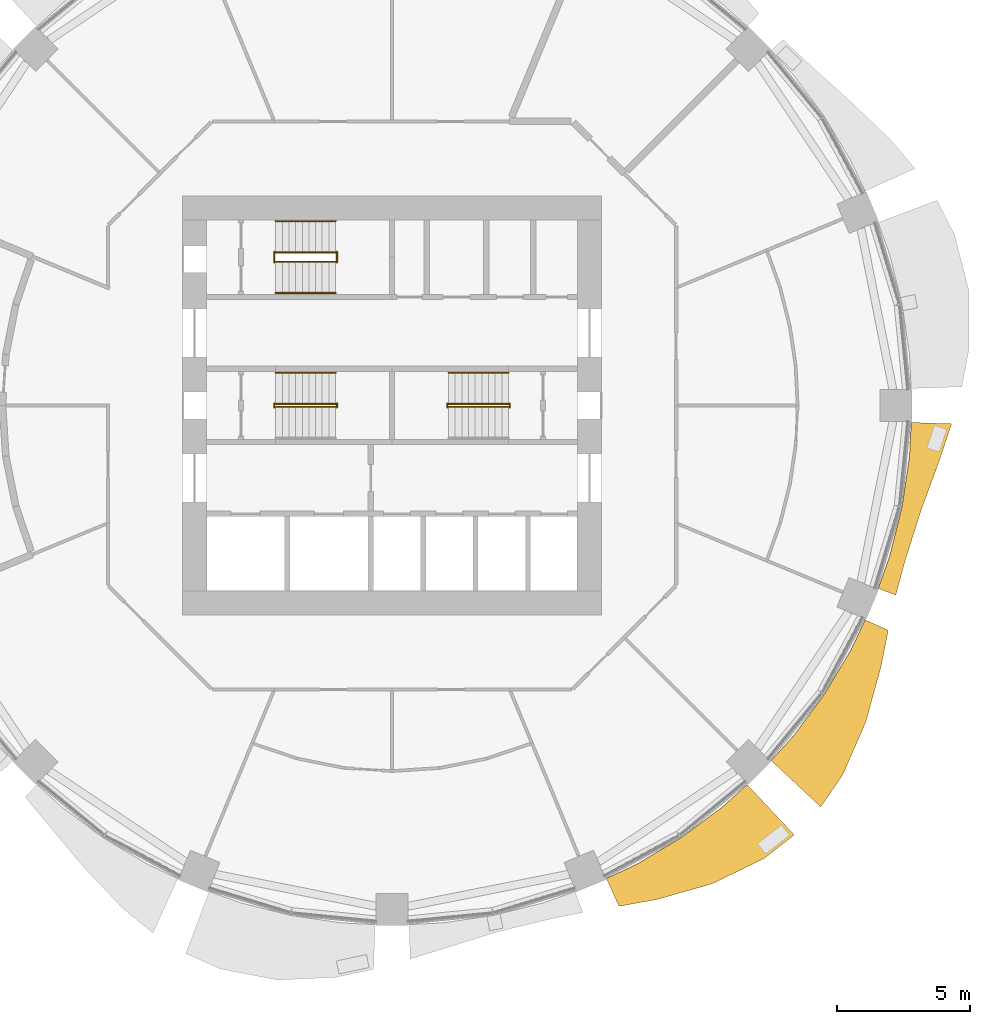
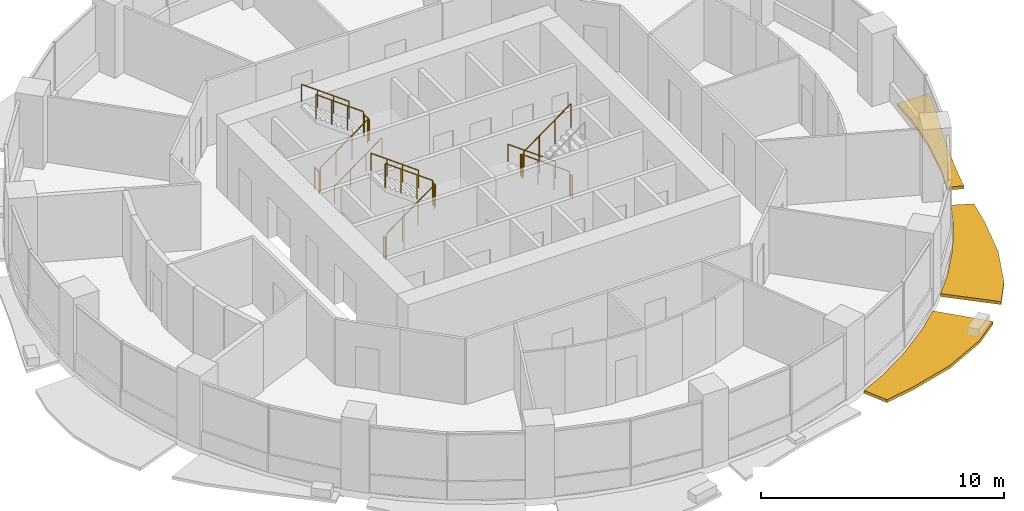
# One storey, part 13 of 15: 16 railings, 3 shading devices.
"""IFC4 building model written with IfcOpenShell, lengths in metres."""

from ifc_helpers import new_model, si_unit, direction, frame, origin, origin_2d, place, context, subcontext, project, spatial, polyline, circle, outline, extrude, material, type_object, element, save


model = new_model("IFC4")

# Units and contexts
model_context = context("Model", 3, precision=1e-05, world=origin(), true_north=direction((0.0, 1.0)))
body_context = subcontext(model_context, "Body", "Model", "MODEL_VIEW")
ifc_project = project(units=[si_unit("LENGTHUNIT", "METRE"), si_unit("AREAUNIT", "SQUARE_METRE"), si_unit("VOLUMEUNIT", "CUBIC_METRE"), si_unit("PLANEANGLEUNIT", "RADIAN"), si_unit("MASSUNIT", "GRAM", prefix="KILO")], contexts=[model_context])

# Site, building, storey
site_placement = place(None, origin())
site = spatial("IfcSite", under=ifc_project, at=site_placement, CompositionType="ELEMENT")
building_placement = place(site_placement, origin())
building = spatial("IfcBuilding", under=site, at=building_placement, Name="Polderwave Tower", CompositionType="ELEMENT")
storey_placement = place(building_placement, frame((0.0, 0.0, 62.699951171875)))
storey = spatial("IfcBuildingStorey", under=building, at=storey_placement, Name="L16", CompositionType="ELEMENT", Elevation=62.699951171875)

# Railings
ifc_material_1 = material(Name="Stainless steel", Category="steel")
railing_type_1 = type_object("IfcRailingType", Name="Stair guard 1100", PredefinedType="GUARDRAIL", material=ifc_material_1)
railing_1_placement = place(storey_placement, frame((-4.3740234375, -0.051025390625, 0.0625)))
element("IfcRailing", 1, at=railing_1_placement, inside=storey, type_object=railing_type_1, Name="L16 ST-A stair guard 1", PredefinedType="GUARDRAIL", context=body_context, shape_type="SweptSolid", body=[
    extrude(circle(Radius=0.02392578125, at=origin_2d()), frame((0.0, 0.0, 1.1962890625), z_axis=(0.807715371301, 0.0, 0.589572623995), x_axis=(0.0, 1.0, 0.0)), (0.0, 0.0, 1.0), 2.78564453125),
    extrude(circle(Radius=0.02392578125, at=origin_2d()), origin(), (0.0, 0.0, 1.0), 1.172119140625),
    extrude(circle(Radius=0.02392578125, at=origin_2d()), frame((0.75, 0.0, 0.54736328125)), (0.0, 0.0, 1.0), 1.172119140625),
    extrude(circle(Radius=0.02392578125, at=origin_2d()), frame((1.5, 0.0, 1.094970703125)), (0.0, 0.0, 1.0), 1.172119140625),
    extrude(circle(Radius=0.02392578125, at=origin_2d()), frame((2.25, 0.0, 1.642333984375)), (0.0, 0.0, 1.0), 1.172119140625),
])
railing_2_placement = place(storey_placement, frame((-2.073974609375, -0.074951171875, 1.824951171875)))
element("IfcRailing", 2, at=railing_2_placement, inside=storey, type_object=railing_type_1, Name="L16 ST-A stair guard 2", PredefinedType="GUARDRAIL", context=body_context, shape_type="SweptSolid", body=[
    extrude(circle(Radius=0.02392578125, at=origin_2d()), frame((0.0, 0.0, 1.076171875), z_axis=(0.0, 1.0, 0.0), x_axis=(-1.0, 0.0, 0.0)), (0.0, 0.0, 1.0), 0.14990234375),
    extrude(circle(Radius=0.02099609375, at=origin_2d()), origin(), (0.0, 0.0, 1.0), 1.052001953125),
    extrude(circle(Radius=0.02099609375, at=origin_2d()), frame((0.0, 0.14990234375, 0.0)), (0.0, 0.0, 1.0), 1.052001953125),
])
railing_3_placement = place(storey_placement, frame((-2.1240234375, 0.051025390625, 1.887451171875)))
element("IfcRailing", 3, at=railing_3_placement, inside=storey, type_object=railing_type_1, Name="L16 ST-A stair guard 3", PredefinedType="GUARDRAIL", context=body_context, shape_type="SweptSolid", body=[
    extrude(circle(Radius=0.02392578125, at=origin_2d()), frame((0.0, 0.0, 1.1962890625), z_axis=(-0.807673635365, 0.0, 0.58962979804), x_axis=(0.0, -1.0, 0.0)), (0.0, 0.0, 1.0), 2.785888671875),
    extrude(circle(Radius=0.02392578125, at=origin_2d()), origin(), (0.0, 0.0, 1.0), 1.172119140625),
    extrude(circle(Radius=0.02392578125, at=origin_2d()), frame((-0.75, 0.0, 0.547607421875)), (0.0, 0.0, 1.0), 1.172119140625),
    extrude(circle(Radius=0.02392578125, at=origin_2d()), frame((-1.5, 0.0, 1.094970703125)), (0.0, 0.0, 1.0), 1.172119140625),
    extrude(circle(Radius=0.02392578125, at=origin_2d()), frame((-2.25, 0.0, 1.642578125)), (0.0, 0.0, 1.0), 1.172119140625),
])
railing_4_placement = place(storey_placement, frame((-4.424072265625, -0.074951171875, 0.0)))
element("IfcRailing", 4, at=railing_4_placement, inside=storey, type_object=railing_type_1, Name="L16 ST-A stair guard 4", PredefinedType="GUARDRAIL", context=body_context, shape_type="SweptSolid", body=[
    extrude(circle(Radius=0.02392578125, at=origin_2d()), frame((0.0, 0.0, 1.076171875), z_axis=(0.0, 1.0, 0.0), x_axis=(-1.0, 0.0, 0.0)), (0.0, 0.0, 1.0), 0.14990234375),
    extrude(circle(Radius=0.02099609375, at=origin_2d()), origin(), (0.0, 0.0, 1.0), 1.052001953125),
    extrude(circle(Radius=0.02099609375, at=origin_2d()), frame((0.0, 0.14990234375, 0.0)), (0.0, 0.0, 1.0), 1.052001953125),
])
railing_5_placement = place(storey_placement, frame((4.3740234375, 0.051025390625, 0.0625)))
element("IfcRailing", 5, at=railing_5_placement, inside=storey, type_object=railing_type_1, Name="L16 ST-B stair guard 1", PredefinedType="GUARDRAIL", context=body_context, shape_type="SweptSolid", body=[
    extrude(circle(Radius=0.02392578125, at=origin_2d()), frame((0.0, 0.0, 1.1962890625), z_axis=(-0.807715371301, 0.0, 0.589572623995), x_axis=(0.0, -1.0, 0.0)), (0.0, 0.0, 1.0), 2.78564453125),
    extrude(circle(Radius=0.02392578125, at=origin_2d()), origin(), (0.0, 0.0, 1.0), 1.172119140625),
    extrude(circle(Radius=0.02392578125, at=origin_2d()), frame((-0.75, 0.0, 0.54736328125)), (0.0, 0.0, 1.0), 1.172119140625),
    extrude(circle(Radius=0.02392578125, at=origin_2d()), frame((-1.5, 0.0, 1.094970703125)), (0.0, 0.0, 1.0), 1.172119140625),
    extrude(circle(Radius=0.02392578125, at=origin_2d()), frame((-2.25, 0.0, 1.642333984375)), (0.0, 0.0, 1.0), 1.172119140625),
])
railing_6_placement = place(storey_placement, frame((2.073974609375, 0.074951171875, 1.824951171875)))
element("IfcRailing", 6, at=railing_6_placement, inside=storey, type_object=railing_type_1, Name="L16 ST-B stair guard 2", PredefinedType="GUARDRAIL", context=body_context, shape_type="SweptSolid", body=[
    extrude(circle(Radius=0.02392578125, at=origin_2d()), frame((0.0, 0.0, 1.076171875), z_axis=(0.0, -1.0, 0.0), x_axis=(1.0, 0.0, 0.0)), (0.0, 0.0, 1.0), 0.14990234375),
    extrude(circle(Radius=0.02099609375, at=origin_2d()), origin(), (0.0, 0.0, 1.0), 1.052001953125),
    extrude(circle(Radius=0.02099609375, at=origin_2d()), frame((0.0, -0.14990234375, 0.0)), (0.0, 0.0, 1.0), 1.052001953125),
])
railing_7_placement = place(storey_placement, frame((2.1240234375, -0.051025390625, 1.887451171875)))
element("IfcRailing", 7, at=railing_7_placement, inside=storey, type_object=railing_type_1, Name="L16 ST-B stair guard 3", PredefinedType="GUARDRAIL", context=body_context, shape_type="SweptSolid", body=[
    extrude(circle(Radius=0.02392578125, at=origin_2d()), frame((0.0, 0.0, 1.1962890625), z_axis=(0.807673635365, 0.0, 0.58962979804), x_axis=(0.0, 1.0, 0.0)), (0.0, 0.0, 1.0), 2.785888671875),
    extrude(circle(Radius=0.02392578125, at=origin_2d()), origin(), (0.0, 0.0, 1.0), 1.172119140625),
    extrude(circle(Radius=0.02392578125, at=origin_2d()), frame((0.75, 0.0, 0.547607421875)), (0.0, 0.0, 1.0), 1.172119140625),
    extrude(circle(Radius=0.02392578125, at=origin_2d()), frame((1.5, 0.0, 1.094970703125)), (0.0, 0.0, 1.0), 1.172119140625),
    extrude(circle(Radius=0.02392578125, at=origin_2d()), frame((2.25, 0.0, 1.642578125)), (0.0, 0.0, 1.0), 1.172119140625),
])
railing_8_placement = place(storey_placement, frame((4.424072265625, 0.074951171875, 0.0)))
element("IfcRailing", 8, at=railing_8_placement, inside=storey, type_object=railing_type_1, Name="L16 ST-B stair guard 4", PredefinedType="GUARDRAIL", context=body_context, shape_type="SweptSolid", body=[
    extrude(circle(Radius=0.02392578125, at=origin_2d()), frame((0.0, 0.0, 1.076171875), z_axis=(0.0, -1.0, 0.0), x_axis=(1.0, 0.0, 0.0)), (0.0, 0.0, 1.0), 0.14990234375),
    extrude(circle(Radius=0.02099609375, at=origin_2d()), origin(), (0.0, 0.0, 1.0), 1.052001953125),
    extrude(circle(Radius=0.02099609375, at=origin_2d()), frame((0.0, -0.14990234375, 0.0)), (0.0, 0.0, 1.0), 1.052001953125),
])
railing_9_placement = place(storey_placement, frame((-4.3740234375, 5.39794921875, 0.0625)))
element("IfcRailing", 9, at=railing_9_placement, inside=storey, type_object=railing_type_1, Name="L16 ST-C stair guard 1", PredefinedType="GUARDRAIL", context=body_context, shape_type="SweptSolid", body=[
    extrude(circle(Radius=0.02392578125, at=origin_2d()), frame((0.0, 0.0, 1.1962890625), z_axis=(0.807715371301, 0.0, 0.589572623995), x_axis=(0.0, 1.0, 0.0)), (0.0, 0.0, 1.0), 2.78564453125),
    extrude(circle(Radius=0.02392578125, at=origin_2d()), origin(), (0.0, 0.0, 1.0), 1.172119140625),
    extrude(circle(Radius=0.02392578125, at=origin_2d()), frame((0.75, 0.0, 0.54736328125)), (0.0, 0.0, 1.0), 1.172119140625),
    extrude(circle(Radius=0.02392578125, at=origin_2d()), frame((1.5, 0.0, 1.094970703125)), (0.0, 0.0, 1.0), 1.172119140625),
    extrude(circle(Radius=0.02392578125, at=origin_2d()), frame((2.25, 0.0, 1.642333984375)), (0.0, 0.0, 1.0), 1.172119140625),
])
railing_10_placement = place(storey_placement, frame((-2.073974609375, 5.3740234375, 1.824951171875)))
element("IfcRailing", 10, at=railing_10_placement, inside=storey, type_object=railing_type_1, Name="L16 ST-C stair guard 2", PredefinedType="GUARDRAIL", context=body_context, shape_type="SweptSolid", body=[
    extrude(circle(Radius=0.02392578125, at=origin_2d()), frame((0.0, 0.0, 1.076171875), z_axis=(0.0, 1.0, 0.0), x_axis=(-1.0, 0.0, 0.0)), (0.0, 0.0, 1.0), 0.39990234375),
    extrude(circle(Radius=0.02099609375, at=origin_2d()), origin(), (0.0, 0.0, 1.0), 1.052001953125),
    extrude(circle(Radius=0.02099609375, at=origin_2d()), frame((0.0, 0.39990234375, 0.0)), (0.0, 0.0, 1.0), 1.052001953125),
])
railing_11_placement = place(storey_placement, frame((-2.1240234375, 5.75, 1.887451171875)))
element("IfcRailing", 11, at=railing_11_placement, inside=storey, type_object=railing_type_1, Name="L16 ST-C stair guard 3", PredefinedType="GUARDRAIL", context=body_context, shape_type="SweptSolid", body=[
    extrude(circle(Radius=0.02392578125, at=origin_2d()), frame((0.0, 0.0, 1.1962890625), z_axis=(-0.807673635365, 0.0, 0.58962979804), x_axis=(0.0, -1.0, 0.0)), (0.0, 0.0, 1.0), 2.785888671875),
    extrude(circle(Radius=0.02392578125, at=origin_2d()), origin(), (0.0, 0.0, 1.0), 1.172119140625),
    extrude(circle(Radius=0.02392578125, at=origin_2d()), frame((-0.75, 0.0, 0.547607421875)), (0.0, 0.0, 1.0), 1.172119140625),
    extrude(circle(Radius=0.02392578125, at=origin_2d()), frame((-1.5, 0.0, 1.094970703125)), (0.0, 0.0, 1.0), 1.172119140625),
    extrude(circle(Radius=0.02392578125, at=origin_2d()), frame((-2.25, 0.0, 1.642578125)), (0.0, 0.0, 1.0), 1.172119140625),
])
railing_12_placement = place(storey_placement, frame((-4.424072265625, 5.3740234375, 0.0)))
element("IfcRailing", 12, at=railing_12_placement, inside=storey, type_object=railing_type_1, Name="L16 ST-C stair guard 4", PredefinedType="GUARDRAIL", context=body_context, shape_type="SweptSolid", body=[
    extrude(circle(Radius=0.02392578125, at=origin_2d()), frame((0.0, 0.0, 1.076171875), z_axis=(0.0, 1.0, 0.0), x_axis=(-1.0, 0.0, 0.0)), (0.0, 0.0, 1.0), 0.39990234375),
    extrude(circle(Radius=0.02099609375, at=origin_2d()), origin(), (0.0, 0.0, 1.0), 1.052001953125),
    extrude(circle(Radius=0.02099609375, at=origin_2d()), frame((0.0, 0.39990234375, 0.0)), (0.0, 0.0, 1.0), 1.052001953125),
])
railing_type_2 = type_object("IfcRailingType", Name="Stair handrail 900", PredefinedType="HANDRAIL", material=ifc_material_1)
railing_13_placement = place(storey_placement, frame((-2.1240234375, 1.22509765625, 2.007568359375)))
element("IfcRailing", 13, at=railing_13_placement, inside=storey, type_object=railing_type_2, Name="L16 ST-A stair handrail 2", PredefinedType="HANDRAIL", context=body_context, shape_type="SweptSolid", body=[
    extrude(circle(Radius=0.02392578125, at=origin_2d()), frame((0.0, 0.0, 0.8759765625), z_axis=(-0.807673635365, 0.0, 0.58962979804), x_axis=(0.0, -1.0, 0.0)), (0.0, 0.0, 1.0), 2.785888671875),
    extrude(circle(Radius=0.02099609375, at=origin_2d()), origin(), (0.0, 0.0, 1.0), 0.851806640625),
    extrude(circle(Radius=0.02099609375, at=origin_2d()), frame((-0.75, 0.0, 0.547607421875)), (0.0, 0.0, 1.0), 0.851806640625),
    extrude(circle(Radius=0.02099609375, at=origin_2d()), frame((-1.5, 0.0, 1.094970703125)), (0.0, 0.0, 1.0), 0.851806640625),
    extrude(circle(Radius=0.02099609375, at=origin_2d()), frame((-2.25, 0.0, 1.642578125)), (0.0, 0.0, 1.0), 0.851806640625),
])
railing_14_placement = place(storey_placement, frame((4.3740234375, 1.22509765625, 0.1826171875)))
element("IfcRailing", 14, at=railing_14_placement, inside=storey, type_object=railing_type_2, Name="L16 ST-B stair handrail 1", PredefinedType="HANDRAIL", context=body_context, shape_type="SweptSolid", body=[
    extrude(circle(Radius=0.02392578125, at=origin_2d()), frame((0.0, 0.0, 0.8759765625), z_axis=(-0.807715371301, 0.0, 0.589572623995), x_axis=(0.0, -1.0, 0.0)), (0.0, 0.0, 1.0), 2.78564453125),
    extrude(circle(Radius=0.02099609375, at=origin_2d()), origin(), (0.0, 0.0, 1.0), 0.851806640625),
    extrude(circle(Radius=0.02099609375, at=origin_2d()), frame((-0.75, 0.0, 0.54736328125)), (0.0, 0.0, 1.0), 0.851806640625),
    extrude(circle(Radius=0.02099609375, at=origin_2d()), frame((-1.5, 0.0, 1.094970703125)), (0.0, 0.0, 1.0), 0.851806640625),
    extrude(circle(Radius=0.02099609375, at=origin_2d()), frame((-2.25, 0.0, 1.642333984375)), (0.0, 0.0, 1.0), 0.851806640625),
])
railing_15_placement = place(storey_placement, frame((-4.3740234375, 4.22412109375, 0.1826171875)))
element("IfcRailing", 15, at=railing_15_placement, inside=storey, type_object=railing_type_2, Name="L16 ST-C stair handrail 1", PredefinedType="HANDRAIL", context=body_context, shape_type="SweptSolid", body=[
    extrude(circle(Radius=0.02392578125, at=origin_2d()), frame((0.0, 0.0, 0.8759765625), z_axis=(0.807715371301, 0.0, 0.589572623995), x_axis=(0.0, 1.0, 0.0)), (0.0, 0.0, 1.0), 2.78564453125),
    extrude(circle(Radius=0.02099609375, at=origin_2d()), origin(), (0.0, 0.0, 1.0), 0.851806640625),
    extrude(circle(Radius=0.02099609375, at=origin_2d()), frame((0.75, 0.0, 0.54736328125)), (0.0, 0.0, 1.0), 0.851806640625),
    extrude(circle(Radius=0.02099609375, at=origin_2d()), frame((1.5, 0.0, 1.094970703125)), (0.0, 0.0, 1.0), 0.851806640625),
    extrude(circle(Radius=0.02099609375, at=origin_2d()), frame((2.25, 0.0, 1.642333984375)), (0.0, 0.0, 1.0), 0.851806640625),
])
railing_16_placement = place(storey_placement, frame((-2.1240234375, 6.924072265625, 2.007568359375)))
element("IfcRailing", 16, at=railing_16_placement, inside=storey, type_object=railing_type_2, Name="L16 ST-C stair handrail 2", PredefinedType="HANDRAIL", context=body_context, shape_type="SweptSolid", body=[
    extrude(circle(Radius=0.02392578125, at=origin_2d()), frame((0.0, 0.0, 0.8759765625), z_axis=(-0.807673635365, 0.0, 0.58962979804), x_axis=(0.0, -1.0, 0.0)), (0.0, 0.0, 1.0), 2.785888671875),
    extrude(circle(Radius=0.02099609375, at=origin_2d()), origin(), (0.0, 0.0, 1.0), 0.851806640625),
    extrude(circle(Radius=0.02099609375, at=origin_2d()), frame((-0.75, 0.0, 0.547607421875)), (0.0, 0.0, 1.0), 0.851806640625),
    extrude(circle(Radius=0.02099609375, at=origin_2d()), frame((-1.5, 0.0, 1.094970703125)), (0.0, 0.0, 1.0), 0.851806640625),
    extrude(circle(Radius=0.02099609375, at=origin_2d()), frame((-2.25, 0.0, 1.642578125)), (0.0, 0.0, 1.0), 0.851806640625),
])

# Shading devices
ifc_material_2 = material(Name="Terracotta", Category="masonry")
shading_device_type = type_object("IfcShadingDeviceType", Name="Terracotta sunshade band", PredefinedType="USERDEFINED", material=ifc_material_2)
shading_device_1_placement = place(storey_placement, frame((0.0, 0.0, -0.349853515625)))
element("IfcShadingDevice", 17, at=shading_device_1_placement, inside=storey, type_object=shading_device_type, Name="Sunshade band L16 14", ObjectType="SUNSHADE", PredefinedType="USERDEFINED", context=body_context, shape_type="SweptSolid", body=[
    extrude(outline(polyline([(8.055419921875, -17.779296875), (9.211181640625, -17.232666015625), (10.855712890625, -16.246826171875), (12.39599609375, -15.1044921875), (13.343505859375, -14.24609375), (15.118408203125, -16.14111328125), (13.9755859375, -17.029296875), (12.014892578125, -17.9814453125), (9.927001953125, -18.572021484375), (8.527099609375, -18.82080078125), (8.055419921875, -17.779296875)])), origin(), (0.0, 0.0, 1.0), 0.14990234375),
])
shading_device_2_placement = place(storey_placement, frame((0.0, 0.0, -0.349853515625)))
element("IfcShadingDevice", 18, at=shading_device_2_placement, inside=storey, type_object=shading_device_type, Name="Sunshade band L16 15", ObjectType="SUNSHADE", PredefinedType="USERDEFINED", context=body_context, shape_type="SweptSolid", body=[
    extrude(outline(polyline([(14.24609375, -13.343505859375), (15.1044921875, -12.39599609375), (16.246826171875, -10.855712890625), (17.232666015625, -9.211181640625), (17.779296875, -8.055419921875), (18.647216796875, -8.448486328125), (18.373779296875, -9.82080078125), (17.80517578125, -11.897216796875), (16.9306640625, -13.89453125), (16.1083984375, -15.087890625), (14.24609375, -13.343505859375)])), origin(), (0.0, 0.0, 1.0), 0.14990234375),
])
shading_device_3_placement = place(storey_placement, frame((0.0, 0.0, -0.349853515625)))
element("IfcShadingDevice", 19, at=shading_device_3_placement, inside=storey, type_object=shading_device_type, Name="Sunshade band L16 16", ObjectType="SUNSHADE", PredefinedType="USERDEFINED", context=body_context, shape_type="SweptSolid", body=[
    extrude(outline(polyline([(18.267822265625, -6.8759765625), (18.698486328125, -5.672119140625), (19.16455078125, -3.81201171875), (19.44580078125, -1.915283203125), (19.508544921875, -0.63818359375), (21.026611328125, -0.68798828125), (20.583984375, -2.02734375), (19.876708984375, -3.95361328125), (19.27587890625, -5.847412109375), (18.9326171875, -7.126220703125), (18.267822265625, -6.8759765625)])), origin(), (0.0, 0.0, 1.0), 0.14990234375),
])

save(model, "model.ifc")
